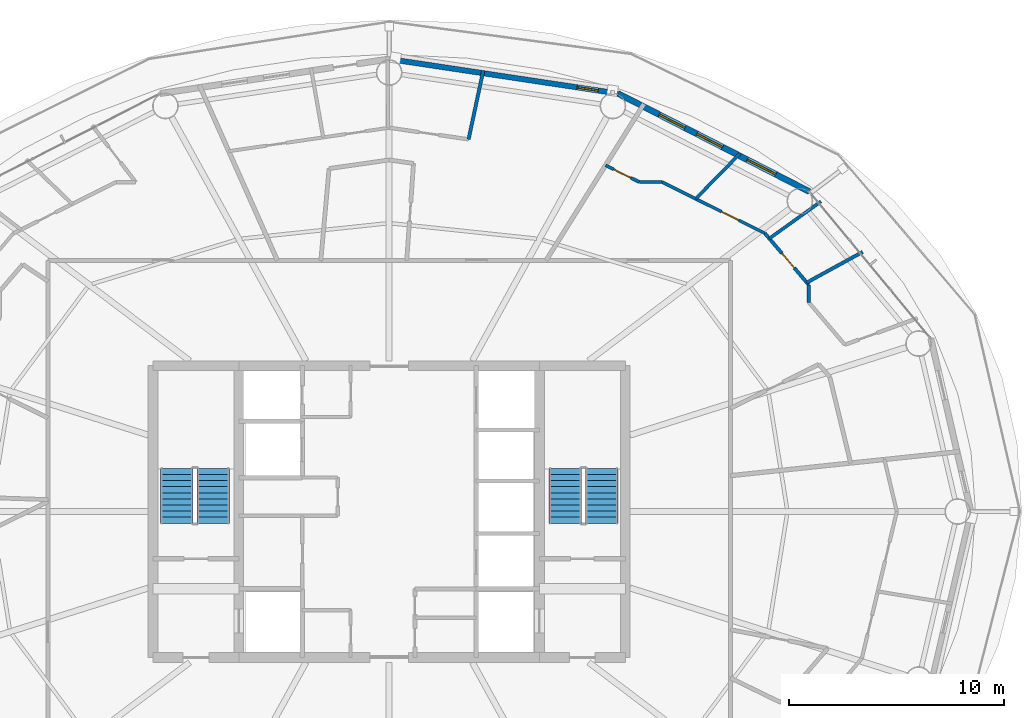
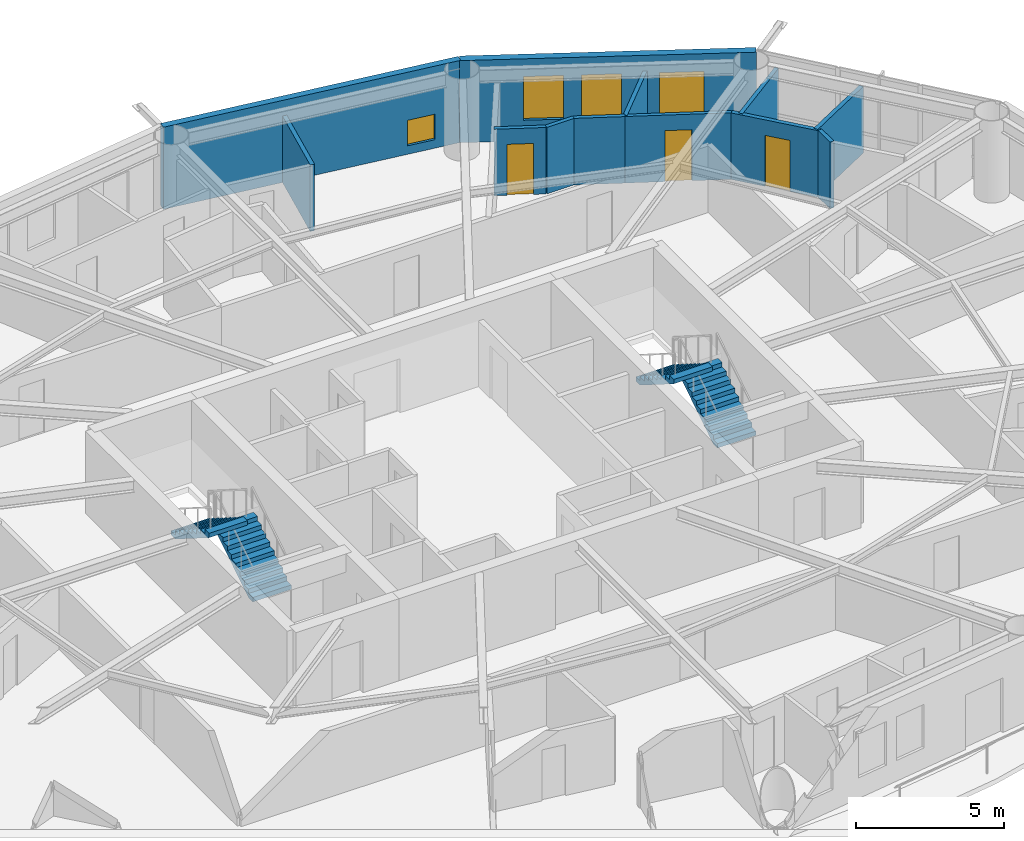
# One storey, part 24 of 27: 12 walls, 4 stair flights, 4 windows, 3 doors, 7 openings, 2 elements without a shape of their own.
"""IFC4 building model written with IfcOpenShell, lengths in metres."""

from ifc_helpers import new_model, si_unit, direction, frame, frame_2d, origin, place, context, subcontext, project, spatial, polyline, rectangle, outline, extrude, material, layer, layer_set, type_object, element, fill, aggregate, save


model = new_model("IFC4")

# Units and contexts
model_context = context("Model", 3, precision=1e-05, world=origin(), true_north=direction((0.0, 1.0)))
body_context = subcontext(model_context, "Body", "Model", "MODEL_VIEW")
ifc_project = project(units=[si_unit("LENGTHUNIT", "METRE"), si_unit("AREAUNIT", "SQUARE_METRE"), si_unit("VOLUMEUNIT", "CUBIC_METRE"), si_unit("PLANEANGLEUNIT", "RADIAN"), si_unit("MASSUNIT", "GRAM", prefix="KILO")], contexts=[model_context])

# Site, building, storey
site_placement = place(None, origin())
site = spatial("IfcSite", under=ifc_project, at=site_placement, CompositionType="ELEMENT")
building_placement = place(site_placement, origin())
building = spatial("IfcBuilding", under=site, at=building_placement, Name="Sarneth Arch Tower", CompositionType="ELEMENT")
storey_placement = place(building_placement, frame((0.0, 0.0, 193.800048828125)))
storey = spatial("IfcBuildingStorey", under=building, at=storey_placement, Name="L49", CompositionType="ELEMENT", Elevation=193.800048828125)

# Wall, opening, window
ifc_material_1 = material(Name="Extruded terracotta rainscreen on Concrete C40/50 backing", Category="masonry")
ifc_layer_1 = layer(ifc_material_1, 0.25)
ifc_layer_set_1 = layer_set([ifc_layer_1], Name="Extruded terracotta rainscreen on Concrete C40/50 backing")
wall_type_1 = type_object("IfcWallType", Name="WALL-EXT-SPAND-250", PredefinedType="SOLIDWALL", material=ifc_layer_set_1)
wall_1_placement = place(storey_placement, frame((58.662841796875, 61.475341796875, 0.0), z_axis=(0.0, 0.0, 1.0), x_axis=(-0.988863993413, 0.148822049884, 0.0)))
wall_1 = element("IfcWall", 1, at=wall_1_placement, inside=storey, type_object=wall_type_1, Name="L49 Terracotta perimeter wall 04", PredefinedType="SOLIDWALL", context=body_context, shape_type="SweptSolid", body=[
    extrude(rectangle(XDim=10.782958984375, YDim=0.25, at=frame_2d((5.3916015625, 0.0))), origin(), (0.0, 0.0, 1.0), 3.3798828125),
])
opening_1_placement = place(wall_1_placement, frame((0.931640625, 0.0, 0.35009765625)))
opening_1 = element("IfcOpeningElement", 2, at=opening_1_placement, cuts=wall_1, Name="Opening W-14", PredefinedType="OPENING", context=body_context, shape_type="SweptSolid", body=[
    extrude(rectangle(XDim=1.0, YDim=1.050048828125, at=frame_2d((0.5, 0.52490234375))), frame((0.0, 0.135009765625, 0.0), z_axis=(0.0, -1.0, 0.0), x_axis=(1.0, 0.0, 0.0)), (0.0, 0.0, 1.0), 0.27001953125),
])
ifc_material_2 = material(Name="Thermally broken Aluminium 6063-T6 and low-e laminated IGU", Category="aluminium")
window_type_1 = type_object("IfcWindowType", Name="WIN-TWR-1000x1050", PartitioningType="SINGLE_PANEL", PredefinedType="WINDOW", material=ifc_material_2)
window_1_placement = place(opening_1_placement, origin())
window_1 = element("IfcWindow", 3, at=window_1_placement, inside=storey, type_object=window_type_1, Name="L49 Dwelling bedroom window 01", OverallHeight=1.050048828125, OverallWidth=1.0, PartitioningType="SINGLE_PANEL", PredefinedType="WINDOW", context=body_context, shape_type="SweptSolid", body=[
    extrude(rectangle(XDim=1.0, YDim=1.050048828125, at=frame_2d((0.5, 0.52490234375))), frame((0.0, 0.030029296875, 0.0), z_axis=(0.0, -1.0, 0.0), x_axis=(1.0, 0.0, 0.0)), (0.0, 0.0, 1.0), 0.06005859375),
])
fill(opening_1, window_1)

# Wall, openings, windows
ifc_material_3 = material(Name="Extruded terracotta rainscreen on Concrete C40/50 backing", Category="masonry")
ifc_layer_2 = layer(ifc_material_3, 0.280029296875)
ifc_layer_set_2 = layer_set([ifc_layer_2], Name="Extruded terracotta rainscreen on Concrete C40/50 backing")
wall_type_2 = type_object("IfcWallType", Name="WALL-EXT-TERRA-280", PredefinedType="SOLIDWALL", material=ifc_layer_set_2)
wall_2_placement = place(storey_placement, frame((67.576171875, 56.90576171875, 0.0), z_axis=(0.0, 0.0, 1.0), x_axis=(-0.889872523182, 0.456209263919, 0.0)))
wall_2 = element("IfcWall", 4, at=wall_2_placement, inside=storey, type_object=wall_type_2, Name="L49 Terracotta perimeter wall 03", PredefinedType="SOLIDWALL", context=body_context, shape_type="SweptSolid", body=[
    extrude(rectangle(XDim=10.016357421875, YDim=0.280029296875, at=frame_2d((5.00830078125, 0.0))), origin(), (0.0, 0.0, 1.0), 3.3798828125),
])
opening_2_placement = place(wall_2_placement, frame((1.760498046875, 0.0, 0.85009765625)))
opening_2 = element("IfcOpeningElement", 5, at=opening_2_placement, cuts=wall_2, Name="Opening W-07", PredefinedType="OPENING", context=body_context, shape_type="SweptSolid", body=[
    extrude(rectangle(XDim=1.5, YDim=1.800048828125, at=frame_2d((0.75, 0.89990234375))), frame((0.0, 0.14990234375, 0.0), z_axis=(0.0, -1.0, 0.0), x_axis=(1.0, 0.0, 0.0)), (0.0, 0.0, 1.0), 0.300048828125),
])
opening_3_placement = place(wall_2_placement, frame((4.544921875, 0.0, 0.85009765625)))
opening_3 = element("IfcOpeningElement", 6, at=opening_3_placement, cuts=wall_2, Name="Opening W-08", PredefinedType="OPENING", context=body_context, shape_type="SweptSolid", body=[
    extrude(rectangle(XDim=1.35009765625, YDim=1.800048828125, at=frame_2d((0.675048828125, 0.89990234375))), frame((0.0, 0.14990234375, 0.0), z_axis=(0.0, -1.0, 0.0), x_axis=(1.0, 0.0, 0.0)), (0.0, 0.0, 1.0), 0.300048828125),
])
opening_4_placement = place(wall_2_placement, frame((6.509521484375, 0.0, 0.85009765625)))
opening_4 = element("IfcOpeningElement", 7, at=opening_4_placement, cuts=wall_2, Name="Opening W-08", PredefinedType="OPENING", context=body_context, shape_type="SweptSolid", body=[
    extrude(rectangle(XDim=1.35009765625, YDim=1.800048828125, at=frame_2d((0.675048828125, 0.89990234375))), frame((0.0, 0.14990234375, 0.0), z_axis=(0.0, -1.0, 0.0), x_axis=(1.0, 0.0, 0.0)), (0.0, 0.0, 1.0), 0.300048828125),
])
ifc_material_4 = material(Name="Thermally broken Aluminium 6063-T6 and low-e laminated IGU", Category="aluminium")
window_type_2 = type_object("IfcWindowType", Name="WIN-TWR-1350x1800", PartitioningType="SINGLE_PANEL", PredefinedType="WINDOW", material=ifc_material_4)
window_2_placement = place(opening_3_placement, origin())
window_2 = element("IfcWindow", 8, at=window_2_placement, inside=storey, type_object=window_type_2, Name="L49 Exterior window 03B", OverallHeight=1.800048828125, OverallWidth=1.35009765625, PartitioningType="SINGLE_PANEL", PredefinedType="WINDOW", context=body_context, shape_type="SweptSolid", body=[
    extrude(rectangle(XDim=1.35009765625, YDim=1.800048828125, at=frame_2d((0.675048828125, 0.89990234375))), frame((0.0, 0.030029296875, 0.0), z_axis=(0.0, -1.0, 0.0), x_axis=(1.0, 0.0, 0.0)), (0.0, 0.0, 1.0), 0.06005859375),
])
fill(opening_3, window_2)
window_3_placement = place(opening_4_placement, origin())
window_3 = element("IfcWindow", 9, at=window_3_placement, inside=storey, type_object=window_type_2, Name="L49 Exterior window 03C", OverallHeight=1.800048828125, OverallWidth=1.35009765625, PartitioningType="SINGLE_PANEL", PredefinedType="WINDOW", context=body_context, shape_type="SweptSolid", body=[
    extrude(rectangle(XDim=1.35009765625, YDim=1.800048828125, at=frame_2d((0.675048828125, 0.89990234375))), frame((0.0, 0.030029296875, 0.0), z_axis=(0.0, -1.0, 0.0), x_axis=(1.0, 0.0, 0.0)), (0.0, 0.0, 1.0), 0.06005859375),
])
fill(opening_4, window_3)
ifc_material_5 = material(Name="Thermally broken Aluminium 6063-T6 and low-e laminated IGU", Category="aluminium")
window_type_3 = type_object("IfcWindowType", Name="WIN-TWR-1500x1800", PartitioningType="SINGLE_PANEL", PredefinedType="WINDOW", material=ifc_material_5)
window_4_placement = place(opening_2_placement, origin())
window_4 = element("IfcWindow", 10, at=window_4_placement, inside=storey, type_object=window_type_3, Name="L49 Exterior window 03A", OverallHeight=1.800048828125, OverallWidth=1.5, PartitioningType="SINGLE_PANEL", PredefinedType="WINDOW", context=body_context, shape_type="SweptSolid", body=[
    extrude(rectangle(XDim=1.5, YDim=1.800048828125, at=frame_2d((0.75, 0.89990234375))), frame((0.0, 0.030029296875, 0.0), z_axis=(0.0, -1.0, 0.0), x_axis=(1.0, 0.0, 0.0)), (0.0, 0.0, 1.0), 0.06005859375),
])
fill(opening_2, window_4)

# Wall, opening, door
ifc_material_6 = material(Name="Apartment internal stud partition", Category="gypsum")
ifc_layer_3 = layer(ifc_material_6, 0.139892578125)
ifc_layer_set_3 = layer_set([ifc_layer_3], Name="Apartment internal stud partition")
wall_type_3 = type_object("IfcWallType", Name="WALL-PART-140", PredefinedType="PARTITIONING", material=ifc_layer_set_3)
wall_3_placement = place(storey_placement, frame((65.5048828125, 54.961181640625, 0.0), z_axis=(0.0, 0.0, 1.0), x_axis=(-0.894941244144, 0.4461840086, 0.0)))
wall_3 = element("IfcWall", 11, at=wall_3_placement, inside=storey, type_object=wall_type_3, Name="L49 Interior partition W-L49-TP-029", PredefinedType="PARTITIONING", context=body_context, shape_type="SweptSolid", body=[
    extrude(rectangle(XDim=3.605224609375, YDim=0.139892578125, at=frame_2d((1.802734375, 0.0))), origin(), (0.0, 0.0, 1.0), 2.739990234375),
])
opening_5_placement = place(wall_3_placement, frame((1.3525390625, 0.0, 0.0)))
opening_5 = element("IfcOpeningElement", 12, at=opening_5_placement, cuts=wall_3, Name="Opening ID-01", PredefinedType="OPENING", context=body_context, shape_type="SweptSolid", body=[
    extrude(rectangle(XDim=0.89990234375, YDim=2.10009765625, at=frame_2d((0.449951171875, 1.050048828125))), frame((0.0, 0.079833984375, 0.0), z_axis=(0.0, -1.0, 0.0), x_axis=(1.0, 0.0, 0.0)), (0.0, 0.0, 1.0), 0.159912109375),
])
ifc_material_7 = material(Name="Engineered hardwood flush door", Category="wood")
door_type = type_object("IfcDoorType", Name="DR-INT-900", OperationType="SINGLE_SWING_LEFT", PredefinedType="DOOR", material=ifc_material_7)
door_1_placement = place(opening_5_placement, origin())
door_1 = element("IfcDoor", 13, at=door_1_placement, inside=storey, type_object=door_type, Name="L49 Interior door DR-L49-U1-BED2", OperationType="SINGLE_SWING_RIGHT", OverallHeight=2.10009765625, OverallWidth=0.89990234375, PredefinedType="DOOR", context=body_context, shape_type="SweptSolid", body=[
    extrude(rectangle(XDim=0.89990234375, YDim=2.10009765625, at=frame_2d((0.449951171875, 1.050048828125))), frame((0.0, 0.02490234375, 0.0), z_axis=(0.0, -1.0, 0.0), x_axis=(1.0, 0.0, 0.0)), (0.0, 0.0, 1.0), 0.050048828125),
])
fill(opening_5, door_1)

# Walls
ifc_material_8 = material(Name="Acoustic gypsum stud partition", Category="gypsum")
ifc_layer_4 = layer(ifc_material_8, 0.14990234375)
ifc_layer_set_4 = layer_set([ifc_layer_4], Name="Acoustic gypsum stud partition")
wall_type_4 = type_object("IfcWallType", Name="WALL-PART-150", PredefinedType="PARTITIONING", material=ifc_layer_set_4)
wall_4_placement = place(storey_placement, frame((64.35302734375, 58.68701171875, 0.0), z_axis=(0.0, 0.0, 1.0), x_axis=(-0.699905055024, -0.714235895172, 0.0)))
element("IfcWall", 14, at=wall_4_placement, inside=storey, type_object=wall_type_4, Name="L49 Interior partition W-L49-TP-039", PredefinedType="PARTITIONING", context=body_context, shape_type="SweptSolid", body=[
    extrude(rectangle(XDim=2.96435546875, YDim=0.14990234375, at=frame_2d((1.482177734375, 0.0))), origin(), (0.0, 0.0, 1.0), 2.739990234375),
])
wall_5_placement = place(storey_placement, frame((68.11328125, 56.4443359375, 0.0), z_axis=(0.0, 0.0, 1.0), x_axis=(-0.812258557349, -0.583297553581, 0.0)))
element("IfcWall", 15, at=wall_5_placement, inside=storey, type_object=wall_type_4, Name="L49 Interior partition W-L49-TP-038", PredefinedType="PARTITIONING", context=body_context, shape_type="SweptSolid", body=[
    extrude(rectangle(XDim=2.9580078125, YDim=0.14990234375, at=frame_2d((1.47900390625, 0.0))), origin(), (0.0, 0.0, 1.0), 2.739990234375),
])

# Wall, opening, door
wall_6_placement = place(storey_placement, frame((59.651123046875, 57.35009765625, 0.0), z_axis=(0.0, 0.0, 1.0), x_axis=(-0.895038630404, 0.445988621027, 0.0)))
wall_6 = element("IfcWall", 16, at=wall_6_placement, inside=storey, type_object=wall_type_4, Name="L49 Interior partition W-L49-TP-032", PredefinedType="PARTITIONING", context=body_context, shape_type="SweptSolid", body=[
    extrude(rectangle(XDim=1.75439453125, YDim=0.14990234375, at=frame_2d((0.877197265625, 0.0))), origin(), (0.0, 0.0, 1.0), 2.739990234375),
])
opening_6_placement = place(wall_6_placement, frame((0.42724609375, 0.0, 0.0)))
opening_6 = element("IfcOpeningElement", 17, at=opening_6_placement, cuts=wall_6, Name="Opening ID-01", PredefinedType="OPENING", context=body_context, shape_type="SweptSolid", body=[
    extrude(rectangle(XDim=0.89990234375, YDim=2.10009765625, at=frame_2d((0.449951171875, 1.050048828125))), frame((0.0, 0.0849609375, 0.0), z_axis=(0.0, -1.0, 0.0), x_axis=(1.0, 0.0, 0.0)), (0.0, 0.0, 1.0), 0.169921875),
])
door_2_placement = place(opening_6_placement, origin())
door_2 = element("IfcDoor", 18, at=door_2_placement, inside=storey, type_object=door_type, Name="L49 Interior door DR-L49-U1-BED3", OperationType="SINGLE_SWING_RIGHT", OverallHeight=2.10009765625, OverallWidth=0.89990234375, PredefinedType="DOOR", context=body_context, shape_type="SweptSolid", body=[
    extrude(rectangle(XDim=0.89990234375, YDim=2.10009765625, at=frame_2d((0.449951171875, 1.050048828125))), frame((0.0, 0.02490234375, 0.0), z_axis=(0.0, -1.0, 0.0), x_axis=(1.0, 0.0, 0.0)), (0.0, 0.0, 1.0), 0.050048828125),
])
fill(opening_6, door_2)

# Walls
wall_7_placement = place(storey_placement, frame((62.2783203125, 56.56982421875, 0.0), z_axis=(0.0, 0.0, 1.0), x_axis=(-0.894929238491, 0.446208088333, 0.0)))
element("IfcWall", 19, at=wall_7_placement, inside=storey, type_object=wall_type_4, Name="L49 Interior partition W-L49-TP-030", PredefinedType="PARTITIONING", context=body_context, shape_type="SweptSolid", body=[
    extrude(rectangle(XDim=1.748779296875, YDim=0.14990234375, at=frame_2d((0.87451171875, 0.0))), origin(), (0.0, 0.0, 1.0), 2.739990234375),
])
wall_8_placement = place(storey_placement, frame((60.71337890625, 57.35009765625, 0.0), z_axis=(0.0, 0.0, 1.0), x_axis=(-1.0, 0.0, 0.0)))
element("IfcWall", 20, at=wall_8_placement, inside=storey, type_object=wall_type_4, Name="L49 Interior partition W-L49-TP-031", PredefinedType="PARTITIONING", context=body_context, shape_type="SweptSolid", body=[
    extrude(rectangle(XDim=1.062255859375, YDim=0.14990234375, at=frame_2d((0.53125, 0.0))), origin(), (0.0, 0.0, 1.0), 2.739990234375),
])
ifc_material_9 = material(Name="Kitchen wet service chase wall", Category="gypsum")
ifc_layer_5 = layer(ifc_material_9, 0.159912109375)
ifc_layer_set_5 = layer_set([ifc_layer_5], Name="Kitchen wet service chase wall")
wall_type_5 = type_object("IfcWallType", Name="WALL-PLUMB-160", PredefinedType="PLUMBINGWALL", material=ifc_layer_set_5)
wall_9_placement = place(storey_placement, frame((52.382080078125, 62.541748046875, 0.0), z_axis=(0.0, 0.0, 1.0), x_axis=(-0.208602341862, -0.97800054344, 0.0)))
element("IfcWall", 21, at=wall_9_placement, inside=storey, type_object=wall_type_5, Name="L49 Interior partition W-L49-TP-041", PredefinedType="PLUMBINGWALL", context=body_context, shape_type="SweptSolid", body=[
    extrude(rectangle(XDim=3.274658203125, YDim=0.159912109375, at=frame_2d((1.63720703125, 0.0))), origin(), (0.0, 0.0, 1.0), 2.739990234375),
])
wall_10_placement = place(storey_placement, frame((67.455322265625, 52.667724609375, 0.0), z_axis=(0.0, 0.0, 1.0), x_axis=(0.876839283097, 0.480783601653, 0.0)))
element("IfcWall", 22, at=wall_10_placement, inside=storey, type_object=wall_type_5, Name="L49 Interior partition W-L49-TP-036", PredefinedType="PLUMBINGWALL", context=body_context, shape_type="SweptSolid", body=[
    extrude(rectangle(XDim=2.965087890625, YDim=0.159912109375, at=frame_2d((1.482421875, 0.0))), origin(), (0.0, 0.0, 1.0), 2.739990234375),
])

# Wall, opening, door
wall_11_placement = place(storey_placement, frame((65.5048828125, 54.961181640625, 0.0), z_axis=(0.0, 0.0, 1.0), x_axis=(0.647888606369, -0.761735094201, 0.0)))
wall_11 = element("IfcWall", 23, at=wall_11_placement, inside=storey, type_object=wall_type_5, Name="L49 Interior partition W-L49-TP-027", PredefinedType="PLUMBINGWALL", context=body_context, shape_type="SweptSolid", body=[
    extrude(rectangle(XDim=3.15673828125, YDim=0.159912109375, at=frame_2d((1.578369140625, 0.0))), origin(), (0.0, 0.0, 1.0), 2.739990234375),
])
opening_7_placement = place(wall_11_placement, frame((1.214599609375, 0.0, 0.0)))
opening_7 = element("IfcOpeningElement", 24, at=opening_7_placement, cuts=wall_11, Name="Opening ID-01", PredefinedType="OPENING", context=body_context, shape_type="SweptSolid", body=[
    extrude(rectangle(XDim=0.89990234375, YDim=2.10009765625, at=frame_2d((0.449951171875, 1.050048828125))), frame((0.0, 0.08984375, 0.0), z_axis=(0.0, -1.0, 0.0), x_axis=(1.0, 0.0, 0.0)), (0.0, 0.0, 1.0), 0.179931640625),
])
door_3_placement = place(opening_7_placement, origin())
door_3 = element("IfcDoor", 25, at=door_3_placement, inside=storey, type_object=door_type, Name="L49 Interior door DR-L49-U1-BED1", OperationType="SINGLE_SWING_LEFT", OverallHeight=2.10009765625, OverallWidth=0.89990234375, PredefinedType="DOOR", context=body_context, shape_type="SweptSolid", body=[
    extrude(rectangle(XDim=0.89990234375, YDim=2.10009765625, at=frame_2d((0.449951171875, 1.050048828125))), frame((0.0, 0.02490234375, 0.0), z_axis=(0.0, -1.0, 0.0), x_axis=(1.0, 0.0, 0.0)), (0.0, 0.0, 1.0), 0.050048828125),
])
fill(opening_7, door_3)

# Wall
wall_12_placement = place(storey_placement, frame((67.550048828125, 51.744384765625, 0.0), z_axis=(0.0, 0.0, 1.0), x_axis=(0.0, 1.0, 0.0)))
element("IfcWall", 26, at=wall_12_placement, inside=storey, type_object=wall_type_5, Name="L49 Interior partition W-L49-TP-022", PredefinedType="PLUMBINGWALL", context=body_context, shape_type="SweptSolid", body=[
    extrude(rectangle(XDim=0.812255859375, YDim=0.159912109375, at=frame_2d((0.40625, 0.0))), origin(), (0.0, 0.0, 1.0), 2.739990234375),
])

# Stair, stair flights
ifc_material_10 = material(Name="Concrete C50/60", Category="concrete")
stair_type = type_object("IfcStairType", Name="STAIR-CORE-RC", PredefinedType="HALF_TURN_STAIR", material=ifc_material_10)
stair_1_placement = place(storey_placement, origin())
stair_1 = element("IfcStair", 27, at=stair_1_placement, inside=storey, type_object=stair_type, Name="L49 Core Exit Stair 1", PredefinedType="HALF_TURN_STAIR")
ifc_material_11 = material(Name="Concrete C50/60", Category="concrete")
stair_flight_type = type_object("IfcStairFlightType", Name="FLIGHT-RC-1500", PredefinedType="STRAIGHT", material=ifc_material_11)
stair_flight_1_placement = place(storey_placement, frame((39.800048828125, 41.449951171875, 0.0), z_axis=(0.0, 0.0, 1.0), x_axis=(0.0, 1.0, 0.0)))
stair_flight_1 = element("IfcStairFlight", 28, at=stair_flight_1_placement, type_object=stair_flight_type, Name="ST-1 flight 1", NumberOfRisers=10, NumberOfTreads=9, PredefinedType="STRAIGHT", RiserHeight=0.18, TreadLength=0.285, context=body_context, shape_type="SweptSolid", body=[
    extrude(outline(polyline([(0.0, 0.0), (0.0, 0.179931640625), (0.284912109375, 0.179931640625), (0.284912109375, 0.360107421875), (0.570068359375, 0.360107421875), (0.570068359375, 0.5400390625), (0.85498046875, 0.5400390625), (0.85498046875, 0.719970703125), (1.139892578125, 0.719970703125), (1.139892578125, 0.89990234375), (1.425048828125, 0.89990234375), (1.425048828125, 1.080078125), (1.7099609375, 1.080078125), (1.7099609375, 1.260009765625), (1.9951171875, 1.260009765625), (1.9951171875, 1.43994140625), (2.280029296875, 1.43994140625), (2.280029296875, 1.6201171875), (2.56494140625, 1.6201171875), (2.56494140625, 1.800048828125), (2.56494140625, 1.442626953125), (0.28076171875, 0.0), (0.0, 0.0)])), frame((0.0, 0.75, 0.0), z_axis=(0.0, -1.0, 0.0), x_axis=(1.0, 0.0, 0.0)), (0.0, 0.0, 1.0), 1.5),
])
stair_flight_2_placement = place(storey_placement, frame((38.10009765625, 44.014892578125, 1.800048828125), z_axis=(0.0, 0.0, 1.0), x_axis=(0.0, -1.0, 0.0)))
stair_flight_2 = element("IfcStairFlight", 29, at=stair_flight_2_placement, type_object=stair_flight_type, Name="ST-1 flight 2", NumberOfRisers=10, NumberOfTreads=9, PredefinedType="STRAIGHT", RiserHeight=0.18, TreadLength=0.285, context=body_context, shape_type="SweptSolid", body=[
    extrude(outline(polyline([(0.0, 0.0), (0.0, 0.179931640625), (0.284912109375, 0.179931640625), (0.284912109375, 0.360107421875), (0.570068359375, 0.360107421875), (0.570068359375, 0.5400390625), (0.85498046875, 0.5400390625), (0.85498046875, 0.719970703125), (1.139892578125, 0.719970703125), (1.139892578125, 0.89990234375), (1.425048828125, 0.89990234375), (1.425048828125, 1.080078125), (1.7099609375, 1.080078125), (1.7099609375, 1.260009765625), (1.9951171875, 1.260009765625), (1.9951171875, 1.43994140625), (2.280029296875, 1.43994140625), (2.280029296875, 1.6201171875), (2.56494140625, 1.6201171875), (2.56494140625, 1.800048828125), (2.56494140625, 1.442626953125), (0.28076171875, 0.0), (0.0, 0.0)])), frame((0.0, 0.75, 0.0), z_axis=(0.0, -1.0, 0.0), x_axis=(1.0, 0.0, 0.0)), (0.0, 0.0, 1.0), 1.5),
])
aggregate(stair_1, [stair_flight_1, stair_flight_2])

stair_2_placement = place(storey_placement, origin())
stair_2 = element("IfcStair", 30, at=stair_2_placement, inside=storey, type_object=stair_type, Name="L49 Core Exit Stair 2", PredefinedType="HALF_TURN_STAIR")
stair_flight_3_placement = place(storey_placement, frame((57.89990234375, 41.449951171875, 0.0), z_axis=(0.0, 0.0, 1.0), x_axis=(0.0, 1.0, 0.0)))
stair_flight_3 = element("IfcStairFlight", 31, at=stair_flight_3_placement, type_object=stair_flight_type, Name="ST-2 flight 1", NumberOfRisers=10, NumberOfTreads=9, PredefinedType="STRAIGHT", RiserHeight=0.18, TreadLength=0.285, context=body_context, shape_type="SweptSolid", body=[
    extrude(outline(polyline([(0.0, 0.0), (0.0, 0.179931640625), (0.284912109375, 0.179931640625), (0.284912109375, 0.360107421875), (0.570068359375, 0.360107421875), (0.570068359375, 0.5400390625), (0.85498046875, 0.5400390625), (0.85498046875, 0.719970703125), (1.139892578125, 0.719970703125), (1.139892578125, 0.89990234375), (1.425048828125, 0.89990234375), (1.425048828125, 1.080078125), (1.7099609375, 1.080078125), (1.7099609375, 1.260009765625), (1.9951171875, 1.260009765625), (1.9951171875, 1.43994140625), (2.280029296875, 1.43994140625), (2.280029296875, 1.6201171875), (2.56494140625, 1.6201171875), (2.56494140625, 1.800048828125), (2.56494140625, 1.442626953125), (0.28076171875, 0.0), (0.0, 0.0)])), frame((0.0, 0.75, 0.0), z_axis=(0.0, -1.0, 0.0), x_axis=(1.0, 0.0, 0.0)), (0.0, 0.0, 1.0), 1.5),
])
stair_flight_4_placement = place(storey_placement, frame((56.199951171875, 44.014892578125, 1.800048828125), z_axis=(0.0, 0.0, 1.0), x_axis=(0.0, -1.0, 0.0)))
stair_flight_4 = element("IfcStairFlight", 32, at=stair_flight_4_placement, type_object=stair_flight_type, Name="ST-2 flight 2", NumberOfRisers=10, NumberOfTreads=9, PredefinedType="STRAIGHT", RiserHeight=0.18, TreadLength=0.285, context=body_context, shape_type="SweptSolid", body=[
    extrude(outline(polyline([(0.0, 0.0), (0.0, 0.179931640625), (0.284912109375, 0.179931640625), (0.284912109375, 0.360107421875), (0.570068359375, 0.360107421875), (0.570068359375, 0.5400390625), (0.85498046875, 0.5400390625), (0.85498046875, 0.719970703125), (1.139892578125, 0.719970703125), (1.139892578125, 0.89990234375), (1.425048828125, 0.89990234375), (1.425048828125, 1.080078125), (1.7099609375, 1.080078125), (1.7099609375, 1.260009765625), (1.9951171875, 1.260009765625), (1.9951171875, 1.43994140625), (2.280029296875, 1.43994140625), (2.280029296875, 1.6201171875), (2.56494140625, 1.6201171875), (2.56494140625, 1.800048828125), (2.56494140625, 1.442626953125), (0.28076171875, 0.0), (0.0, 0.0)])), frame((0.0, 0.75, 0.0), z_axis=(0.0, -1.0, 0.0), x_axis=(1.0, 0.0, 0.0)), (0.0, 0.0, 1.0), 1.5),
])
aggregate(stair_2, [stair_flight_3, stair_flight_4])

save(model, "model.ifc")
